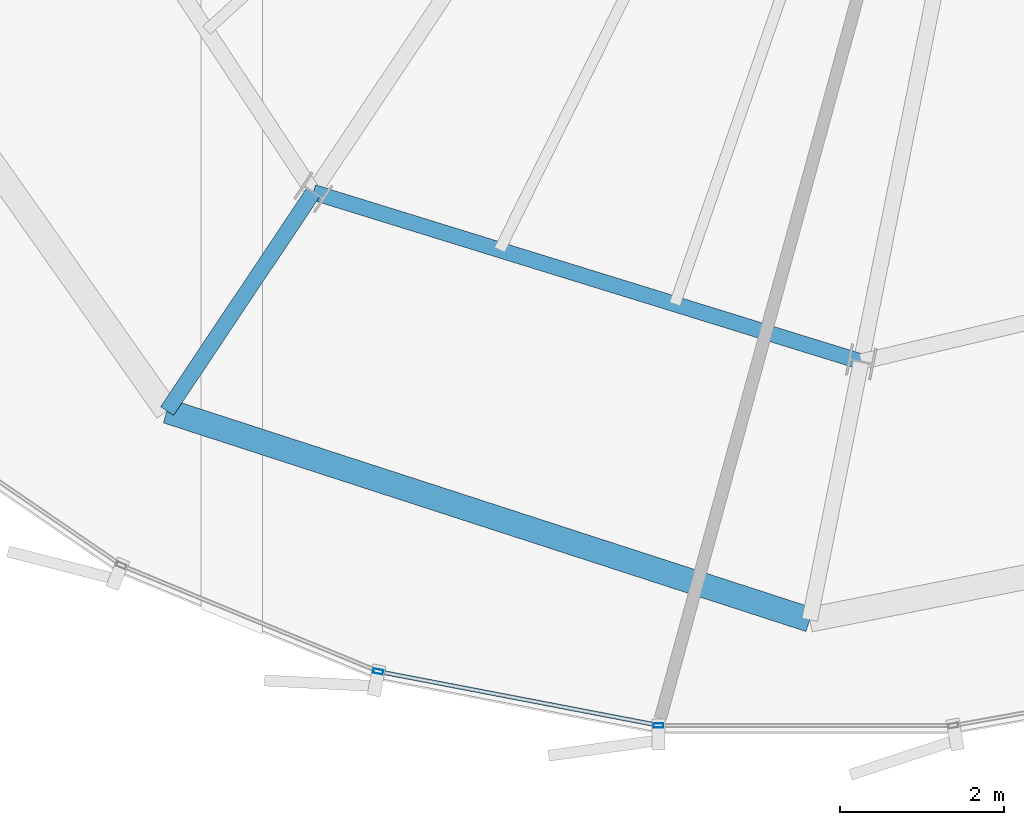
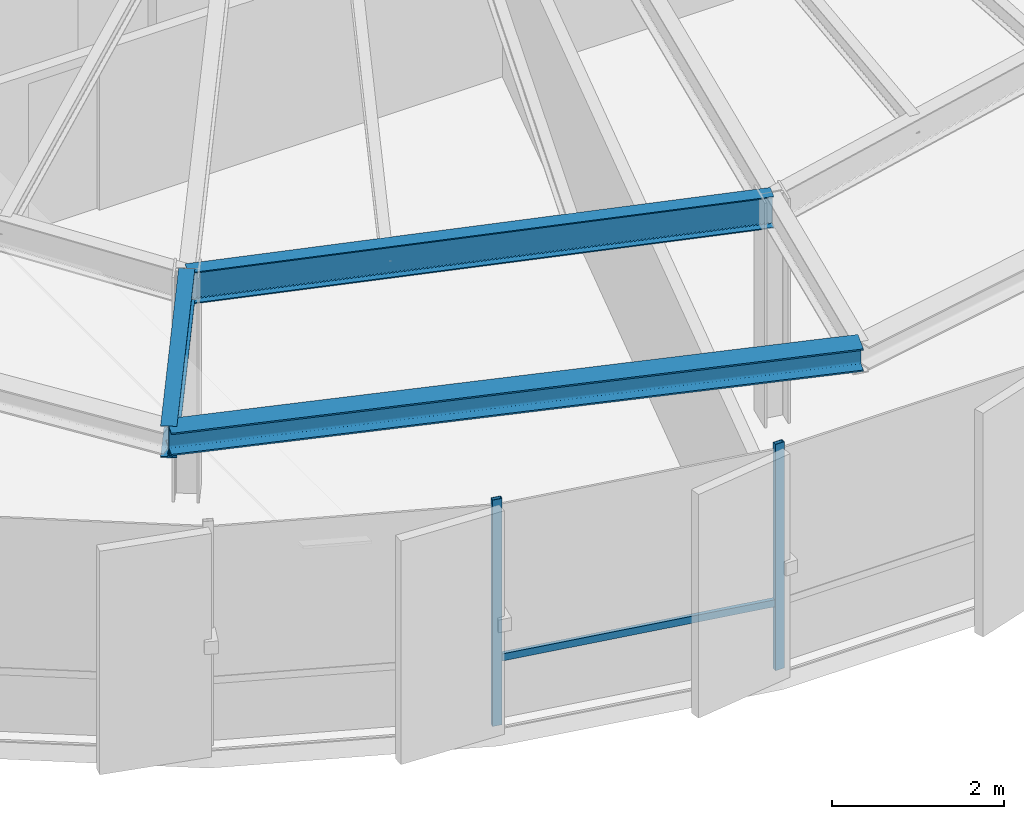
# One storey, part 3 of 33: 3 beams, 3 members, 1 element without a shape of its own.
"""IFC4 building model written with IfcOpenShell, lengths in metres."""

from ifc_helpers import new_model, si_unit, direction, frame, origin, origin_2d, place, context, subcontext, project, spatial, hollow_rectangle, i_section, extrude, source, transform, mapped, material, layer, layer_set, material_profile, profile_set, type_object, element, aggregate, save


model = new_model("IFC4")

# Units and contexts
model_context = context("Model", 3, precision=1e-05, world=origin(), true_north=direction((0.0, 1.0)))
body_context = subcontext(model_context, "Body", "Model", "MODEL_VIEW")
ifc_project = project(units=[si_unit("LENGTHUNIT", "METRE"), si_unit("AREAUNIT", "SQUARE_METRE"), si_unit("VOLUMEUNIT", "CUBIC_METRE"), si_unit("PLANEANGLEUNIT", "RADIAN"), si_unit("MASSUNIT", "GRAM", prefix="KILO"), si_unit("THERMODYNAMICTEMPERATUREUNIT", "KELVIN")], contexts=[model_context])

# Site, building, storey
site_placement = place(None, origin())
site = spatial("IfcSite", under=ifc_project, at=site_placement, CompositionType="ELEMENT")
building_placement = place(site_placement, origin())
building = spatial("IfcBuilding", under=site, at=building_placement, Name="Kethvar Cultural Tower", CompositionType="ELEMENT")
storey_placement = place(building_placement, frame((0.0, 0.0, 235.300048828125)))
storey = spatial("IfcBuildingStorey", under=building, at=storey_placement, Name="L61", CompositionType="ELEMENT", Elevation=235.300048828125)

# Beams
ifc_material_1 = material(Name="Steel S355J2", Category="steel")
ifc_material_profile_1 = material_profile(ifc_material_1, i_section(OverallWidth=0.18994140625, OverallDepth=0.449951171875, WebThickness=0.009521484375, FlangeThickness=0.0146484375, FilletRadius=0.02099609375, at=origin_2d()), Name="Steel S355J2 — IPE450")
ifc_profile_set_1 = profile_set([ifc_material_profile_1], Name="Steel S355J2 — IPE450")
beam_type_1 = type_object("IfcBeamType", Name="BM-IPE450", PredefinedType="BEAM", material=ifc_profile_set_1)
shared_shape_1 = source(origin(), body_context, "Body", "SweptSolid", [
    extrude(i_section(OverallWidth=0.18994140625, OverallDepth=0.449951171875, WebThickness=0.009521484375, FlangeThickness=0.0146484375, FilletRadius=0.02099609375, at=origin_2d()), origin(), (0.0, 0.0, 1.0), 3.199951171875),
])
beam_1_placement = place(storey_placement, frame((36.731201171875, 12.73095703125, 2.98291015625), z_axis=(-0.555580212716, -0.831462943996, 0.0), x_axis=(0.831462943996, -0.555580212716, 0.0)))
element("IfcBeam", 1, at=beam_1_placement, inside=storey, type_object=beam_type_1, Name="L61 Perimeter Cantilever Beam RC-11", PredefinedType="BEAM", context=body_context, shape_type="MappedRepresentation", body=[
    mapped(shared_shape_1, transform((0.0, 0.0, 0.0), scale=1.0)),
])
shared_shape_2 = source(origin(), body_context, "Body", "SweptSolid", [
    extrude(i_section(OverallWidth=0.18994140625, OverallDepth=0.449951171875, WebThickness=0.009521484375, FlangeThickness=0.0146484375, FilletRadius=0.02099609375, at=origin_2d()), origin(), (0.0, 0.0, 1.0), 6.97265625),
])
beam_2_placement = place(storey_placement, frame((36.731201171875, 12.73095703125, 2.98291015625), z_axis=(0.955381444404, -0.295374839295, 0.0), x_axis=(0.295374839295, 0.955381444404, 0.0)))
element("IfcBeam", 2, at=beam_2_placement, inside=storey, type_object=beam_type_1, Name="L61 Column Ring Tie Beam CR-11", PredefinedType="BEAM", context=body_context, shape_type="MappedRepresentation", body=[
    mapped(shared_shape_2, transform((0.0, 0.0, 0.0), scale=1.0)),
])
ifc_material_profile_2 = material_profile(ifc_material_1, i_section(OverallWidth=0.300048828125, OverallDepth=0.320068359375, WebThickness=0.011474609375, FlangeThickness=0.0205078125, FilletRadius=0.027099609375, at=origin_2d()), Name="Steel S355J2 — HEB320")
ifc_profile_set_2 = profile_set([ifc_material_profile_2], Name="Steel S355J2 — HEB320")
beam_type_2 = type_object("IfcBeamType", Name="BM-SP320", PredefinedType="SPANDREL", material=ifc_profile_set_2)
shared_shape_3 = source(origin(), body_context, "Body", "SweptSolid", [
    extrude(i_section(OverallWidth=0.300048828125, OverallDepth=0.320068359375, WebThickness=0.011474609375, FlangeThickness=0.0205078125, FilletRadius=0.027099609375, at=origin_2d()), origin(), (0.0, 0.0, 1.0), 8.216796875),
])
beam_3_placement = place(storey_placement, frame((34.953369140625, 10.0703125, 3.0478515625), z_axis=(0.951117661456, -0.30882874553, 0.0), x_axis=(0.30882874553, 0.951117661456, 0.0)))
element("IfcBeam", 3, at=beam_3_placement, inside=storey, type_object=beam_type_2, Name="L61 Perimeter Spandrel Beam SP-11", PredefinedType="SPANDREL", context=body_context, shape_type="MappedRepresentation", body=[
    mapped(shared_shape_3, transform((0.0, 0.0, 0.0), scale=1.0)),
])

# Curtain wall, members
ifc_material_2 = material(Name="Aluminium 6063-T6", Category="aluminium")
ifc_layer = layer(ifc_material_2, 0.179931640625, Name="Aluminium 6063-T6", Category="aluminium")
ifc_layer_set = layer_set([ifc_layer], Name="Aluminium 6063-T6 (180 mm)")
curtain_wall_type = type_object("IfcCurtainWallType", Name="CW-SYS-05-Z56", PredefinedType="NOTDEFINED", material=ifc_layer_set)
curtain_wall_placement = place(storey_placement, origin())
curtain_wall = element("IfcCurtainWall", 4, at=curtain_wall_placement, inside=storey, type_object=curtain_wall_type, Name="L61 Curtain Wall Run 04", PredefinedType="NOTDEFINED")
ifc_material_profile_3 = material_profile(ifc_material_2, hollow_rectangle(XDim=0.054931640625, YDim=0.1201171875, WallThickness=0.00390625, at=origin_2d()), Name="Aluminium 6063-T6 — RHS120x55x4")
ifc_profile_set_3 = profile_set([ifc_material_profile_3], Name="Aluminium 6063-T6 — RHS120x55x4")
member_type_1 = type_object("IfcMemberType", Name="CW-SYS-05-Z56-MUL", PredefinedType="MULLION", material=ifc_profile_set_3)
shared_shape_4 = source(origin(), body_context, "Body", "SweptSolid", [
    extrude(hollow_rectangle(XDim=0.054931640625, YDim=0.1201171875, WallThickness=0.00390625, at=origin_2d()), origin(), (0.0, 0.0, 1.0), 3.2099609375),
])
member_1_placement = place(storey_placement, frame((37.521484375, 6.90380859375, 0.0), z_axis=(0.0, 0.0, 1.0), x_axis=(0.188529844039, 0.982067460975, 0.0)))
member_1 = element("IfcMember", 5, at=member_1_placement, type_object=member_type_1, Name="CW-L61-R04 Mullion 3", PredefinedType="MULLION", context=body_context, shape_type="MappedRepresentation", body=[
    mapped(shared_shape_4, transform((0.0, 0.0, 0.0), scale=1.0)),
])
member_2_placement = place(storey_placement, frame((40.9287109375, 6.247802734375, 0.0), z_axis=(0.0, 0.0, 1.0), x_axis=(-3.4906585e-05, 0.999999999391, 0.0)))
member_2 = element("IfcMember", 6, at=member_2_placement, type_object=member_type_1, Name="CW-L61-R04 Mullion 4", PredefinedType="MULLION", context=body_context, shape_type="MappedRepresentation", body=[
    mapped(shared_shape_4, transform((0.0, 0.0, 0.0), scale=1.0)),
])
ifc_material_profile_4 = material_profile(ifc_material_2, hollow_rectangle(XDim=0.050048828125, YDim=0.10009765625, WallThickness=0.00390625, at=origin_2d()), Name="Aluminium 6063-T6 — RHS100x50x4")
ifc_profile_set_4 = profile_set([ifc_material_profile_4], Name="Aluminium 6063-T6 — RHS100x50x4")
member_type_2 = type_object("IfcMemberType", Name="CW-SYS-05-Z56-TRN", PredefinedType="USERDEFINED", material=ifc_profile_set_4)
shared_shape_5 = source(origin(), body_context, "Body", "SweptSolid", [
    extrude(hollow_rectangle(XDim=0.050048828125, YDim=0.10009765625, WallThickness=0.00390625, at=origin_2d()), origin(), (0.0, 0.0, 1.0), 3.409423828125),
])
member_3_placement = place(storey_placement, frame((37.560302734375, 6.896240234375, 0.949951171875), z_axis=(0.982066153992, -0.188536652093, 0.0), x_axis=(0.188536652093, 0.982066153992, 0.0)))
member_3 = element("IfcMember", 7, at=member_3_placement, type_object=member_type_2, Name="CW-L61-R04 Transom 3", ObjectType="TRANSOM", PredefinedType="USERDEFINED", context=body_context, shape_type="MappedRepresentation", body=[
    mapped(shared_shape_5, transform((0.0, 0.0, 0.0), scale=1.0)),
])
aggregate(curtain_wall, [member_1, member_2, member_3])

save(model, "model.ifc")
